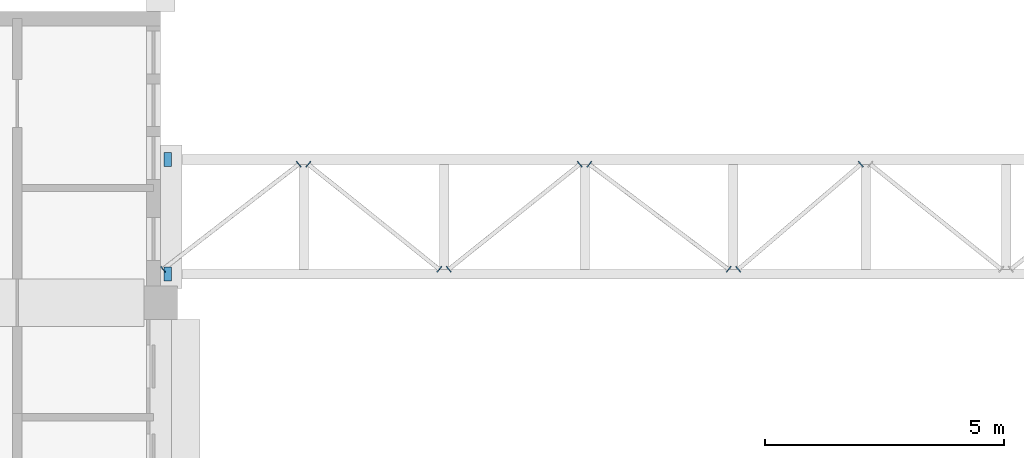
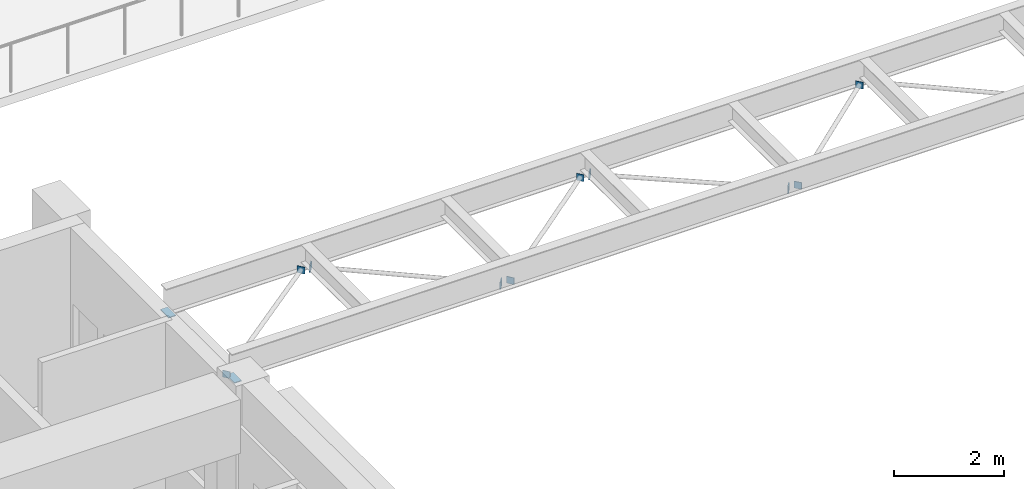
# One storey, part 84 of 103: 12 discrete accessories.
"""IFC4 building model written with IfcOpenShell, lengths in metres."""

import ifcopenshell
import ifcopenshell.guid

model = None  # the IFC model being written
_history = None  # IfcOwnerHistory: only IFC2X3 demands one
_inside = {}  # id of a spatial element -> (the spatial element, [elements in it])
_under = {}  # id of a project, library or spatial element -> (it, [spatial elements below it])
_declared = {}  # id of a project -> (the project, [libraries it declares])
_typed = {}  # id of a type object -> (the type object, [elements of that type])
_made_of = {}  # id of a material, layer set ... -> (it, [elements and type objects made of it])


def new_model(schema):
    """Start an empty IFC model of exactly this schema.

    Asked for "IFC4X3", IfcOpenShell would pick the latest addendum, in which some entities
    have other attributes; the version numbers below select the first issue.
    IFC2X3 requires an IfcOwnerHistory on every rooted entity: one is made here for all.
    """
    global model, _history
    if schema == "IFC4X3":
        model = ifcopenshell.file(schema_version=(4, 3, 0, 0))
    else:
        model = ifcopenshell.file(schema=schema)
    _inside.clear()
    _under.clear()
    _declared.clear()
    _typed.clear()
    _made_of.clear()
    _history = None
    if model.schema == "IFC2X3":
        org = make("IfcOrganization", Name="unknown")
        user = make(
            "IfcPersonAndOrganization",
            ThePerson=make("IfcPerson", FamilyName="unknown"),
            TheOrganization=org,
        )
        app = make(
            "IfcApplication",
            ApplicationDeveloper=org,
            Version="unknown",
            ApplicationFullName="unknown",
            ApplicationIdentifier="unknown",
        )
        _history = make(
            "IfcOwnerHistory",
            OwningUser=user,
            OwningApplication=app,
            ChangeAction="ADDED",
            CreationDate=0,
        )
    return model


def make(cls, **values):
    """One entity of the class cls with the attributes given. An attribute that is None is left unset."""
    return model.create_entity(
        cls, **{name: value for name, value in values.items() if value is not None}
    )


def rooted(cls, **values):
    """An entity with a GlobalId (a new one), such as an element, a storey or a relation."""
    return make(cls, GlobalId=ifcopenshell.guid.new(), OwnerHistory=_history, **values)


def si_unit(unit_type, name, prefix=None):
    """IfcSIUnit, for example si_unit("LENGTHUNIT", "METRE", prefix="MILLI")."""
    return make("IfcSIUnit", UnitType=unit_type, Prefix=prefix, Name=name)


def assignment(units):
    """IfcUnitAssignment: the units of a project."""
    return None if units is None else make("IfcUnitAssignment", Units=units)


def point(xyz):
    """IfcCartesianPoint."""
    return None if xyz is None else make("IfcCartesianPoint", Coordinates=xyz)


def direction(xyz):
    """IfcDirection."""
    return None if xyz is None else make("IfcDirection", DirectionRatios=xyz)


def frame(location, z_axis=None, x_axis=None):
    """IfcAxis2Placement3D, a coordinate frame: its origin and axes. An axis left out is left unset."""
    return make(
        "IfcAxis2Placement3D",
        Location=point(location),
        Axis=direction(z_axis),
        RefDirection=direction(x_axis),
    )


def frame_2d(location, x_axis=None):
    """IfcAxis2Placement2D, a coordinate frame in the plane: its origin and x axis."""
    return make(
        "IfcAxis2Placement2D", Location=point(location), RefDirection=direction(x_axis)
    )


def origin():
    """The frame at (0, 0, 0) with its axes left unset."""
    return frame((0.0, 0.0, 0.0))


def origin_2d():
    """The frame at (0, 0) in the plane with its x axis left unset."""
    return frame_2d((0.0, 0.0))


def place(relative_to, where):
    """IfcLocalPlacement: puts the frame where relative to a parent placement (None: the world)."""
    return make(
        "IfcLocalPlacement", PlacementRelTo=relative_to, RelativePlacement=where
    )


def context(
    kind, dimensions, precision=None, world=None, true_north=None, identifier=None
):
    """IfcGeometricRepresentationContext, for example the 3D "Model" context."""
    return make(
        "IfcGeometricRepresentationContext",
        ContextIdentifier=identifier,
        ContextType=kind,
        CoordinateSpaceDimension=dimensions,
        Precision=precision,
        WorldCoordinateSystem=world,
        TrueNorth=true_north,
    )


def subcontext(parent, identifier, kind, view, scale=None):
    """IfcGeometricRepresentationSubContext, for example "Body" below "Model"."""
    return make(
        "IfcGeometricRepresentationSubContext",
        ContextIdentifier=identifier,
        ContextType=kind,
        ParentContext=parent,
        TargetScale=scale,
        TargetView=view,
    )


def project(units=None, contexts=None):
    """IfcProject with its units and contexts."""
    return rooted(
        "IfcProject",
        Name="project",
        RepresentationContexts=contexts,
        UnitsInContext=assignment(units),
    )


def spatial(cls, under=None, at=None, **own):
    """A site, building, storey or space (cls), placed at a placement, below another one or the project."""
    s = rooted(cls, ObjectPlacement=at, **own)
    if under is not None:
        _under.setdefault(under.id(), (under, []))[1].append(s)
    return s


def profile(cls, at=None, kind="AREA", **sizes):
    """A parametric profile (cls). Its sizes go by their IFC names, for example OverallWidth=200.0."""
    return make(cls, ProfileType=kind, Position=at, **sizes)


def rectangle(**sizes):
    """IfcRectangleProfileDef."""
    return profile("IfcRectangleProfileDef", **sizes)


def extrude(swept, where, along, depth):
    """IfcExtrudedAreaSolid: the profile swept, set in the frame where, extruded along a direction by depth."""
    return make(
        "IfcExtrudedAreaSolid",
        SweptArea=swept,
        Position=where,
        ExtrudedDirection=direction(along),
        Depth=depth,
    )


def shape(context_of_items, identifier, shape_type, items):
    """IfcShapeRepresentation: the items that make up one representation, for example the "Body"."""
    return make(
        "IfcShapeRepresentation",
        ContextOfItems=context_of_items,
        RepresentationIdentifier=identifier,
        RepresentationType=shape_type,
        Items=items,
    )


def material(Name=None, Category=None):
    """IfcMaterial."""
    return make("IfcMaterial", Name=Name, Category=Category)


def material_profile(
    of_material, cross_section, Name=None, Category=None, Priority=None
):
    """IfcMaterialProfile: a cross section and its material."""
    return make(
        "IfcMaterialProfile",
        Name=Name,
        Material=of_material,
        Profile=cross_section,
        Priority=Priority,
        Category=Category,
    )


def profile_set(profiles, Name=None, composite=None):
    """IfcMaterialProfileSet."""
    return make(
        "IfcMaterialProfileSet",
        Name=Name,
        MaterialProfiles=profiles,
        CompositeProfile=composite,
    )


def made_of(thing, what):
    """Note that an element or type object is made of a material, layer set ...; save() writes the relation."""
    if what is not None:
        _made_of.setdefault(what.id(), (what, []))[1].append(thing)
    return thing


def type_object(cls, material=None, **own):
    """A type object (cls), such as IfcWallType, which elements share."""
    return made_of(rooted(cls, **own), material)


def element(
    cls,
    number,
    at=None,
    inside=None,
    cuts=None,
    type_object=None,
    material=None,
    context=None,
    identifier="Body",
    shape_type=None,
    held_by="IfcProductDefinitionShape",
    body=None,
    shapes=None,
    **own,
):
    """One element of the class cls, such as IfcWall. Its Tag is "e" and its number.

    at: its placement. inside: the storey or other place that contains it. cuts: it is an
    opening in that element (IfcRelVoidsElement). A single representation is given by context,
    identifier, shape_type and body (its items); several are given by shapes. held_by: the class
    of the entity that holds the representations. save() writes the other relations.
    """
    e = rooted(cls, Tag="e%d" % number, ObjectPlacement=at, **own)
    if body is not None:
        shapes = [shape(context, identifier, shape_type, body)]
    if shapes is not None:
        e.Representation = make(held_by, Representations=shapes)
    if inside is not None:
        _inside.setdefault(inside.id(), (inside, []))[1].append(e)
    if cuts is not None:
        rooted(
            "IfcRelVoidsElement", RelatingBuildingElement=cuts, RelatedOpeningElement=e
        )
    if type_object is not None:
        _typed.setdefault(type_object.id(), (type_object, []))[1].append(e)
    return made_of(e, material)


def aggregate(whole, parts):
    """IfcRelAggregates: a whole, such as a stair, and the parts it consists of."""
    return rooted("IfcRelAggregates", RelatingObject=whole, RelatedObjects=parts)


def save(model, path):
    """Write the relations noted so far, then the file.

    IfcRelAggregates (storeys below a building ...), IfcRelContainedInSpatialStructure (elements
    in a storey), IfcRelDefinesByType, IfcRelAssociatesMaterial and IfcRelDeclares: one each for
    every whole, place, type object, material and project.
    """
    for whole, parts in _under.values():
        aggregate(whole, parts)
    for where, things in _inside.values():
        rooted(
            "IfcRelContainedInSpatialStructure",
            RelatedElements=things,
            RelatingStructure=where,
        )
    for kind, things in _typed.values():
        rooted("IfcRelDefinesByType", RelatedObjects=things, RelatingType=kind)
    for what, things in _made_of.values():
        rooted("IfcRelAssociatesMaterial", RelatedObjects=things, RelatingMaterial=what)
    for by, libraries in _declared.values():
        rooted("IfcRelDeclares", RelatingContext=by, RelatedDefinitions=libraries)
    model.write(path)


model = new_model("IFC4")

# Units and contexts
model_context = context("Model", 3, precision=1e-05, world=origin(), true_north=direction((0.0, 1.0)))
body_context = subcontext(model_context, "Body", "Model", "MODEL_VIEW")
ifc_project = project(units=[si_unit("LENGTHUNIT", "METRE"), si_unit("AREAUNIT", "SQUARE_METRE"), si_unit("VOLUMEUNIT", "CUBIC_METRE"), si_unit("PLANEANGLEUNIT", "RADIAN"), si_unit("MASSUNIT", "GRAM", prefix="KILO")], contexts=[model_context])

# Site, building, storey
site_placement = place(None, origin())
site = spatial("IfcSite", under=ifc_project, at=site_placement, CompositionType="ELEMENT")
building_placement = place(site_placement, origin())
building = spatial("IfcBuilding", under=site, at=building_placement, Name="Laocheng Heights Fire and Rescue Headquarters", CompositionType="ELEMENT")
storey_placement = place(building_placement, frame((0.0, 0.0, 4.199951171875)))
storey = spatial("IfcBuildingStorey", under=building, at=storey_placement, Name="L01", CompositionType="ELEMENT", Elevation=4.199951171875)

# Discrete accessories
ifc_material_1 = material(Name="Steel Q355B, dark grey painted", Category="steel")
ifc_material_profile_1 = material_profile(ifc_material_1, rectangle(XDim=0.14990234375, YDim=0.14990234375, at=origin_2d()), Name="GUSSET PLATE 150 x 150 x 12 FOR STEEL BRIDGE PLAN BRACE CHS 88.9x5")
ifc_profile_set_1 = profile_set([ifc_material_profile_1], Name="Steel Q355B, dark grey painted")
discrete_accessory_type_1 = type_object("IfcDiscreteAccessoryType", Name="GUSSET PLATE 150 x 150 x 12 FOR STEEL BRIDGE PLAN BRACE CHS 88.9x5", PredefinedType="BRACKET", material=ifc_profile_set_1)
discrete_accessory_1_placement = place(storey_placement, frame((72.04541015625, 22.29638671875, 3.4443359375), z_axis=(0.784882765533, 0.619644288579, 0.0), x_axis=(-0.619644288579, 0.784882765533, 0.0)))
element("IfcDiscreteAccessory", 1, at=discrete_accessory_1_placement, inside=storey, type_object=discrete_accessory_type_1, Name="End plate at M2-Q end 1", PredefinedType="BRACKET", context=body_context, shape_type="SweptSolid", body=[
    extrude(rectangle(XDim=0.14990234375, YDim=0.14990234375, at=origin_2d()), origin(), (0.0, 0.0, 1.0), 0.01171875),
])
ifc_material_2 = material(Name="Steel Q355B, dark grey painted", Category="steel")
ifc_material_profile_2 = material_profile(ifc_material_2, rectangle(XDim=0.14990234375, YDim=0.14990234375, at=origin_2d()), Name="GUSSET PLATE 150 x 150 x 13 FOR STEEL BRIDGE PLAN BRACE CHS 88.9x5")
ifc_profile_set_2 = profile_set([ifc_material_profile_2], Name="Steel Q355B, dark grey painted")
discrete_accessory_type_2 = type_object("IfcDiscreteAccessoryType", Name="GUSSET PLATE 150 x 150 x 13 FOR STEEL BRIDGE PLAN BRACE CHS 88.9x5", PredefinedType="BRACKET", material=ifc_profile_set_2)
for number, where, z_axis, x_axis, name in (
    (2, (74.88916015625, 24.496337890625, 3.4443359375), (0.786318338822, 0.617821551932, 0.0), (-0.617821551932, 0.786318338822, 0.0), "End plate at M2-Q end 2"),
    (3, (75.08837890625, 24.50439453125, 3.4443359375), (0.769757960393, -0.638335869595, 0.0), (0.638335869595, 0.769757960393, 0.0), "End plate at M2-Q end 1"),
    (4, (77.832763671875, 22.3037109375, 3.4443359375), (0.786318338822, -0.617821551932, 0.0), (0.617821551932, 0.786318338822, 0.0), "End plate at M2-Q end 2"),
    (5, (78.031982421875, 22.295654296875, 3.4443359375), (0.786318338822, 0.617821551932, 0.0), (-0.617821551932, 0.786318338822, 0.0), "End plate at M2-Q end 1"),
    (6, (80.776611328125, 24.49609375, 3.4443359375), (0.769757960393, 0.638335869595, 0.0), (-0.638335869595, 0.769757960393, 0.0), "End plate at M2-Q end 2"),
):
    element("IfcDiscreteAccessory", number, at=place(storey_placement, frame(where, z_axis=z_axis, x_axis=x_axis)), inside=storey, type_object=discrete_accessory_type_2, Name=name, PredefinedType="BRACKET", context=body_context, shape_type="SweptSolid", body=[
        extrude(rectangle(XDim=0.14990234375, YDim=0.14990234375, at=origin_2d()), origin(), (0.0, 0.0, 1.0), 0.012939453125),
    ])
discrete_accessory_2_placement = place(storey_placement, frame((80.9755859375, 24.504150390625, 3.4443359375), z_axis=(0.802233221274, -0.59701076932, 0.0), x_axis=(0.59701076932, 0.802233221274, 0.0)))
element("IfcDiscreteAccessory", 7, at=discrete_accessory_2_placement, inside=storey, type_object=discrete_accessory_type_2, Name="End plate at M2-Q end 1", PredefinedType="BRACKET", context=body_context, shape_type="SweptSolid", body=[
    extrude(rectangle(XDim=0.14990234375, YDim=0.14990234375, at=origin_2d()), origin(), (0.0, 0.0, 1.0), 0.01318359375),
])
for number, where, z_axis, x_axis, name in (
    (8, (83.895263671875, 22.3037109375, 3.4443359375), (0.795431720032, -0.606043215263, 0.0), (0.606043215263, 0.795431720032, 0.0), "End plate at M2-Q end 2"),
    (9, (84.0947265625, 22.29541015625, 3.4443359375), (0.752576694707, 0.658504607869, 0.0), (-0.658504607869, 0.752576694707, 0.0), "End plate at M2-Q end 1"),
    (10, (86.664306640625, 24.49609375, 3.4443359375), (0.752576694707, 0.658504607869, 0.0), (-0.658504607869, 0.752576694707, 0.0), "End plate at M2-Q end 2"),
):
    element("IfcDiscreteAccessory", number, at=place(storey_placement, frame(where, z_axis=z_axis, x_axis=x_axis)), inside=storey, type_object=discrete_accessory_type_2, Name=name, PredefinedType="BRACKET", context=body_context, shape_type="SweptSolid", body=[
        extrude(rectangle(XDim=0.14990234375, YDim=0.14990234375, at=origin_2d()), origin(), (0.0, 0.0, 1.0), 0.012939453125),
    ])
ifc_material_3 = material(Name="PTFE on stainless steel plate", Category="steel")
discrete_accessory_type_3 = type_object("IfcDiscreteAccessoryType", Name="SLIDING BEARING PAD 150 x 300 x 20", PredefinedType="SHOE", material=ifc_material_3)
for number, where, z_axis, x_axis, name in (
    (11, (72.14990234375, 22.199951171875, 3.380126953125), (0.0, 0.0, 1.0), (1.0, 0.0, 0.0), "Sliding bearing pad B4"),
    (12, (72.14990234375, 24.60009765625, 3.380126953125), (0.0, 0.0, 1.0), (1.0, 0.0, 0.0), "Sliding bearing pad B4"),
):
    element("IfcDiscreteAccessory", number, at=place(storey_placement, frame(where, z_axis=z_axis, x_axis=x_axis)), inside=storey, type_object=discrete_accessory_type_3, Name=name, PredefinedType="SHOE", context=body_context, shape_type="SweptSolid", body=[
        extrude(rectangle(XDim=0.14990234375, YDim=0.300048828125, at=origin_2d()), origin(), (0.0, 0.0, 1.0), 0.02001953125),
    ])

save(model, "model.ifc")
